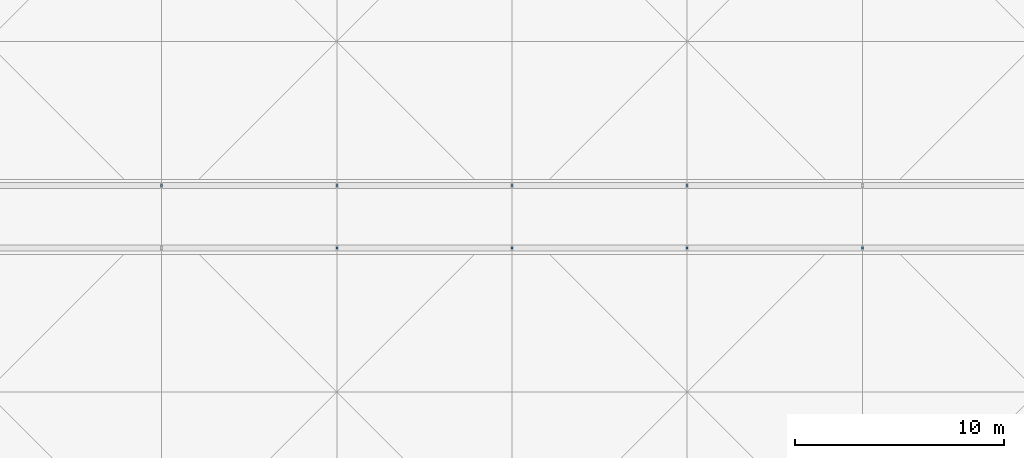
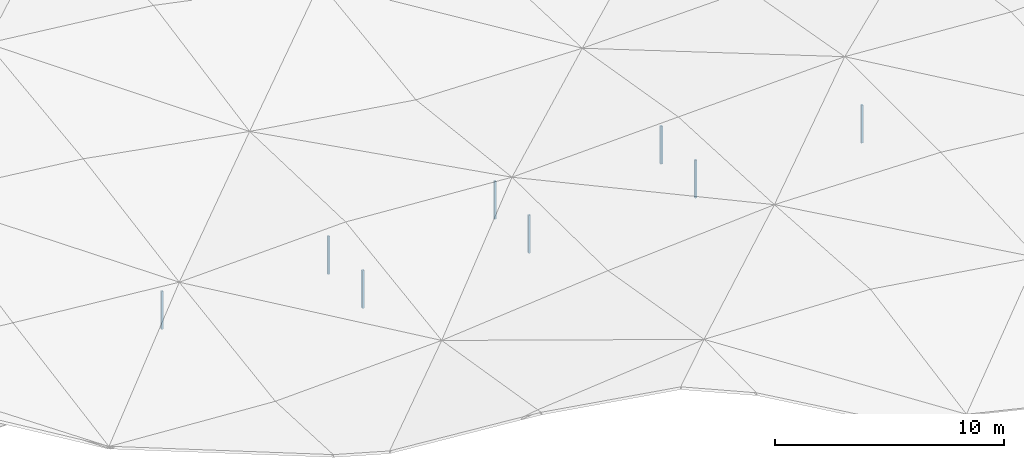
# One storey, part 6 of 46: 8 discrete accessories.
"""IFC4 building model written with IfcOpenShell, lengths in metres."""

from ifc_helpers import new_model, si_unit, direction, frame, origin, origin_2d, place, context, subcontext, project, spatial, rectangle, extrude, material, layer, layer_set, type_object, element, save


model = new_model("IFC4")

# Units and contexts
model_context = context("Model", 3, precision=1e-05, world=origin(), true_north=direction((0.0, 1.0)))
body_context = subcontext(model_context, "Body", "Model", "MODEL_VIEW")
ifc_project = project(units=[si_unit("LENGTHUNIT", "METRE"), si_unit("AREAUNIT", "SQUARE_METRE"), si_unit("VOLUMEUNIT", "CUBIC_METRE"), si_unit("PLANEANGLEUNIT", "RADIAN"), si_unit("MASSUNIT", "GRAM", prefix="KILO")], contexts=[model_context])

# Site, building, storey
site_placement = place(None, origin())
site = spatial("IfcSite", under=ifc_project, at=site_placement, CompositionType="ELEMENT")
building_placement = place(site_placement, origin())
building = spatial("IfcBuilding", under=site, at=building_placement, Name="Rain Tree Exposition and Congress Centre", CompositionType="ELEMENT")
storey_placement = place(building_placement, frame((0.0, 0.0, 27.0)))
storey = spatial("IfcBuildingStorey", under=building, at=storey_placement, Name="ROOF VAULT CREST", CompositionType="ELEMENT", Elevation=27.0)

# Discrete accessories
ifc_material = material(Name="Steel S355J2", Category="steel")
ifc_layer = layer(ifc_material, 0.10009765625)
ifc_layer_set = layer_set([ifc_layer], Name="Steel S355J2")
discrete_accessory_type = type_object("IfcDiscreteAccessoryType", Name="Ridge lantern post 100", PredefinedType="BRACKET", material=ifc_layer_set)
for number, where, z_axis, x_axis, name in (
    (1, (84.0, 149.699951171875, 0.0), (0.0, 0.0, 1.0), (1.0, 0.0, 0.0), "Lantern post S9"),
    (2, (92.39990234375, 149.699951171875, 0.0), (0.0, 0.0, 1.0), (1.0, 0.0, 0.0), "Lantern post S10"),
    (3, (100.800048828125, 149.699951171875, 0.0), (0.0, 0.0, 1.0), (1.0, 0.0, 0.0), "Lantern post S11"),
    (4, (109.199951171875, 149.699951171875, 0.0), (0.0, 0.0, 1.0), (1.0, 0.0, 0.0), "Lantern post S12"),
    (5, (75.60009765625, 152.699951171875, 0.0), (0.0, 0.0, 1.0), (1.0, 0.0, 0.0), "Lantern post N8"),
    (6, (84.0, 152.699951171875, 0.0), (0.0, 0.0, 1.0), (1.0, 0.0, 0.0), "Lantern post N9"),
    (7, (92.39990234375, 152.699951171875, 0.0), (0.0, 0.0, 1.0), (1.0, 0.0, 0.0), "Lantern post N10"),
    (8, (100.800048828125, 152.699951171875, 0.0), (0.0, 0.0, 1.0), (1.0, 0.0, 0.0), "Lantern post N11"),
):
    element("IfcDiscreteAccessory", number, at=place(storey_placement, frame(where, z_axis=z_axis, x_axis=x_axis)), inside=storey, type_object=discrete_accessory_type, Name=name, PredefinedType="BRACKET", context=body_context, shape_type="SweptSolid", body=[
        extrude(rectangle(XDim=0.10009765625, YDim=0.10009765625, at=origin_2d()), origin(), (0.0, 0.0, 1.0), 2.02001953125),
    ])

save(model, "model.ifc")
